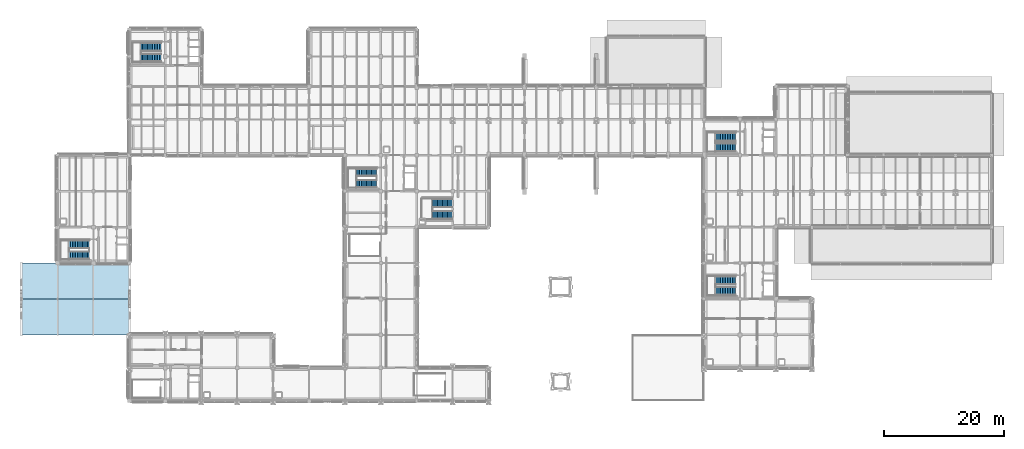
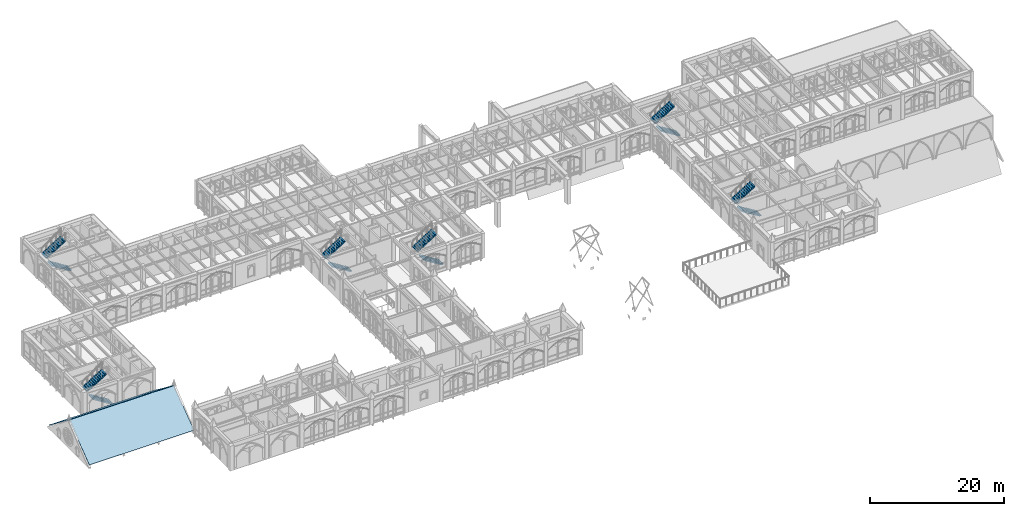
# One storey, part 111 of 143: 12 stair flights, 2 roofs, 6 elements without a shape of their own.
"""IFC4 building model written with IfcOpenShell, lengths in metres."""

from ifc_helpers import new_model, si_unit, direction, frame, origin, place, context, subcontext, project, spatial, polyline, outline, extrude, material, type_object, element, aggregate, save


model = new_model("IFC4")

# Units and contexts
model_context = context("Model", 3, precision=1e-05, world=origin(), true_north=direction((0.0, 1.0)))
body_context = subcontext(model_context, "Body", "Model", "MODEL_VIEW")
ifc_project = project(units=[si_unit("LENGTHUNIT", "METRE"), si_unit("AREAUNIT", "SQUARE_METRE"), si_unit("VOLUMEUNIT", "CUBIC_METRE"), si_unit("PLANEANGLEUNIT", "RADIAN"), si_unit("MASSUNIT", "GRAM", prefix="KILO")], contexts=[model_context])

# Site, building, storey
site_placement = place(None, origin())
site = spatial("IfcSite", under=ifc_project, at=site_placement, CompositionType="ELEMENT")
building_placement = place(site_placement, origin())
building = spatial("IfcBuilding", under=site, at=building_placement, Name="Cumevento Cable Car Station", CompositionType="ELEMENT")
storey_placement = place(building_placement, frame((0.0, 0.0, 9.0)))
storey = spatial("IfcBuildingStorey", under=building, at=storey_placement, Name="L03", CompositionType="ELEMENT", Elevation=9.0)

# Stair, stair flights
ifc_material_1 = material(Name="Concrete C40/50", Category="concrete")
stair_type_1 = type_object("IfcStairType", Name="Half-Turn Stair ST-T03 1320", PredefinedType="HALF_TURN_STAIR", material=ifc_material_1)
stair_1_placement = place(storey_placement, origin())
stair_1 = element("IfcStair", 1, at=stair_1_placement, inside=storey, type_object=stair_type_1, Name="Enclosed Exit Stair ST-01 (L03 to L04)", PredefinedType="HALF_TURN_STAIR")
ifc_material_2 = material(Name="Concrete C40/50", Category="concrete")
stair_flight_type_1 = type_object("IfcStairFlightType", Name="Stair Flight STF-T03 1320", PredefinedType="STRAIGHT", material=ifc_material_2)
stair_flight_1_placement = place(storey_placement, frame((63.280029296875, 40.219970703125, 0.0), z_axis=(0.0, 0.0, 1.0), x_axis=(-1.0, 0.0, 0.0)))
stair_flight_1 = element("IfcStairFlight", 2, at=stair_flight_1_placement, type_object=stair_flight_type_1, Name="ST-01-L03 Flight 1", NumberOfRisers=13, NumberOfTreads=12, PredefinedType="STRAIGHT", RiserHeight=0.173076923, TreadLength=0.28, context=body_context, shape_type="SweptSolid", body=[
    extrude(outline(polyline([(0.0, 0.0), (0.0, 0.173095703125), (0.280029296875, 0.173095703125), (0.280029296875, 0.34619140625), (0.56005859375, 0.34619140625), (0.56005859375, 0.519287109375), (0.840087890625, 0.519287109375), (0.840087890625, 0.6923828125), (1.1201171875, 0.6923828125), (1.1201171875, 0.865478515625), (1.39990234375, 0.865478515625), (1.39990234375, 1.03857421875), (1.679931640625, 1.03857421875), (1.679931640625, 1.21142578125), (1.9599609375, 1.21142578125), (1.9599609375, 1.384521484375), (2.239990234375, 1.384521484375), (2.239990234375, 1.5576171875), (2.52001953125, 1.5576171875), (2.52001953125, 1.730712890625), (2.800048828125, 1.730712890625), (2.800048828125, 1.90380859375), (3.080078125, 1.90380859375), (3.080078125, 2.076904296875), (3.360107421875, 2.076904296875), (3.360107421875, 2.25), (3.360107421875, 1.888916015625), (0.30419921875, 0.0), (0.0, 0.0)])), frame((0.0, 0.66015625, 0.0), z_axis=(0.0, -1.0, 0.0), x_axis=(1.0, 0.0, 0.0)), (0.0, 0.0, 1.0), 1.320068359375),
])
stair_flight_2_placement = place(storey_placement, frame((59.919921875, 42.14990234375, 2.25), z_axis=(0.0, 0.0, 1.0), x_axis=(1.0, 0.0, 0.0)))
stair_flight_2 = element("IfcStairFlight", 3, at=stair_flight_2_placement, type_object=stair_flight_type_1, Name="ST-01-L03 Flight 2", NumberOfRisers=13, NumberOfTreads=12, PredefinedType="STRAIGHT", RiserHeight=0.173076923, TreadLength=0.28, context=body_context, shape_type="SweptSolid", body=[
    extrude(outline(polyline([(0.0, 0.0), (0.0, 0.173095703125), (0.280029296875, 0.173095703125), (0.280029296875, 0.34619140625), (0.56005859375, 0.34619140625), (0.56005859375, 0.519287109375), (0.840087890625, 0.519287109375), (0.840087890625, 0.6923828125), (1.1201171875, 0.6923828125), (1.1201171875, 0.865478515625), (1.39990234375, 0.865478515625), (1.39990234375, 1.03857421875), (1.679931640625, 1.03857421875), (1.679931640625, 1.21142578125), (1.9599609375, 1.21142578125), (1.9599609375, 1.384521484375), (2.239990234375, 1.384521484375), (2.239990234375, 1.5576171875), (2.52001953125, 1.5576171875), (2.52001953125, 1.730712890625), (2.800048828125, 1.730712890625), (2.800048828125, 1.90380859375), (3.080078125, 1.90380859375), (3.080078125, 2.076904296875), (3.360107421875, 2.076904296875), (3.360107421875, 2.25), (3.360107421875, 1.888916015625), (0.30419921875, 0.0), (0.0, 0.0)])), frame((0.0, 0.66015625, 0.0), z_axis=(0.0, -1.0, 0.0), x_axis=(1.0, 0.0, 0.0)), (0.0, 0.0, 1.0), 1.320068359375),
])
aggregate(stair_1, [stair_flight_1, stair_flight_2])

ifc_material_3 = material(Name="Concrete C40/50", Category="concrete")
stair_type_2 = type_object("IfcStairType", Name="Half-Turn Stair ST-T05 1380", PredefinedType="HALF_TURN_STAIR", material=ifc_material_3)
stair_2_placement = place(storey_placement, origin())
stair_2 = element("IfcStair", 4, at=stair_2_placement, inside=storey, type_object=stair_type_2, Name="Enclosed Exit Stair ST-03 (L03 to L04)", PredefinedType="HALF_TURN_STAIR")
ifc_material_4 = material(Name="Concrete C40/50", Category="concrete")
stair_flight_type_2 = type_object("IfcStairFlightType", Name="Stair Flight STF-T05 1380", PredefinedType="STRAIGHT", material=ifc_material_4)
stair_flight_3_placement = place(storey_placement, frame((15.280029296875, 28.25, 0.0), z_axis=(0.0, 0.0, 1.0), x_axis=(-1.0, 0.0, 0.0)))
stair_flight_3 = element("IfcStairFlight", 5, at=stair_flight_3_placement, type_object=stair_flight_type_2, Name="ST-03-L03 Flight 1", NumberOfRisers=13, NumberOfTreads=12, PredefinedType="STRAIGHT", RiserHeight=0.173076923, TreadLength=0.28, context=body_context, shape_type="SweptSolid", body=[
    extrude(outline(polyline([(0.0, 0.0), (0.0, 0.173095703125), (0.280029296875, 0.173095703125), (0.280029296875, 0.34619140625), (0.56005859375, 0.34619140625), (0.56005859375, 0.519287109375), (0.840087890625, 0.519287109375), (0.840087890625, 0.6923828125), (1.1201171875, 0.6923828125), (1.1201171875, 0.865478515625), (1.39990234375, 0.865478515625), (1.39990234375, 1.03857421875), (1.679931640625, 1.03857421875), (1.679931640625, 1.21142578125), (1.9599609375, 1.21142578125), (1.9599609375, 1.384521484375), (2.239990234375, 1.384521484375), (2.239990234375, 1.5576171875), (2.52001953125, 1.5576171875), (2.52001953125, 1.730712890625), (2.800048828125, 1.730712890625), (2.800048828125, 1.90380859375), (3.080078125, 1.90380859375), (3.080078125, 2.076904296875), (3.360107421875, 2.076904296875), (3.360107421875, 2.25), (3.360107421875, 1.888916015625), (0.30419921875, 0.0), (0.0, 0.0)])), frame((0.0, 0.68994140625, 0.0), z_axis=(0.0, -1.0, 0.0), x_axis=(1.0, 0.0, 0.0)), (0.0, 0.0, 1.0), 1.3798828125),
])
stair_flight_4_placement = place(storey_placement, frame((11.919921875, 30.1201171875, 2.25), z_axis=(0.0, 0.0, 1.0), x_axis=(1.0, 0.0, 0.0)))
stair_flight_4 = element("IfcStairFlight", 6, at=stair_flight_4_placement, type_object=stair_flight_type_2, Name="ST-03-L03 Flight 2", NumberOfRisers=13, NumberOfTreads=12, PredefinedType="STRAIGHT", RiserHeight=0.173076923, TreadLength=0.28, context=body_context, shape_type="SweptSolid", body=[
    extrude(outline(polyline([(0.0, 0.0), (0.0, 0.173095703125), (0.280029296875, 0.173095703125), (0.280029296875, 0.34619140625), (0.56005859375, 0.34619140625), (0.56005859375, 0.519287109375), (0.840087890625, 0.519287109375), (0.840087890625, 0.6923828125), (1.1201171875, 0.6923828125), (1.1201171875, 0.865478515625), (1.39990234375, 0.865478515625), (1.39990234375, 1.03857421875), (1.679931640625, 1.03857421875), (1.679931640625, 1.21142578125), (1.9599609375, 1.21142578125), (1.9599609375, 1.384521484375), (2.239990234375, 1.384521484375), (2.239990234375, 1.5576171875), (2.52001953125, 1.5576171875), (2.52001953125, 1.730712890625), (2.800048828125, 1.730712890625), (2.800048828125, 1.90380859375), (3.080078125, 1.90380859375), (3.080078125, 2.076904296875), (3.360107421875, 2.076904296875), (3.360107421875, 2.25), (3.360107421875, 1.888916015625), (0.30419921875, 0.0), (0.0, 0.0)])), frame((0.0, 0.68994140625, 0.0), z_axis=(0.0, -1.0, 0.0), x_axis=(1.0, 0.0, 0.0)), (0.0, 0.0, 1.0), 1.3798828125),
])
aggregate(stair_2, [stair_flight_3, stair_flight_4])

ifc_material_5 = material(Name="Concrete C40/50", Category="concrete")
stair_type_3 = type_object("IfcStairType", Name="Half-Turn Stair ST-T06 1410", PredefinedType="HALF_TURN_STAIR", material=ifc_material_5)
stair_3_placement = place(storey_placement, origin())
stair_3 = element("IfcStair", 7, at=stair_3_placement, inside=storey, type_object=stair_type_3, Name="Enclosed Exit Stair ST-04 (L03 to L04)", PredefinedType="HALF_TURN_STAIR")
ifc_material_6 = material(Name="Concrete C40/50", Category="concrete")
stair_flight_type_3 = type_object("IfcStairFlightType", Name="Stair Flight STF-T06 1410", PredefinedType="STRAIGHT", material=ifc_material_6)
stair_flight_5_placement = place(storey_placement, frame((27.280029296875, 61.264892578125, 0.0), z_axis=(0.0, 0.0, 1.0), x_axis=(-1.0, 0.0, 0.0)))
stair_flight_5 = element("IfcStairFlight", 8, at=stair_flight_5_placement, type_object=stair_flight_type_3, Name="ST-04-L03 Flight 1", NumberOfRisers=13, NumberOfTreads=12, PredefinedType="STRAIGHT", RiserHeight=0.173076923, TreadLength=0.28, context=body_context, shape_type="SweptSolid", body=[
    extrude(outline(polyline([(0.0, 0.0), (0.0, 0.173095703125), (0.280029296875, 0.173095703125), (0.280029296875, 0.34619140625), (0.56005859375, 0.34619140625), (0.56005859375, 0.519287109375), (0.840087890625, 0.519287109375), (0.840087890625, 0.6923828125), (1.1201171875, 0.6923828125), (1.1201171875, 0.865478515625), (1.39990234375, 0.865478515625), (1.39990234375, 1.03857421875), (1.679931640625, 1.03857421875), (1.679931640625, 1.21142578125), (1.9599609375, 1.21142578125), (1.9599609375, 1.384521484375), (2.239990234375, 1.384521484375), (2.239990234375, 1.5576171875), (2.52001953125, 1.5576171875), (2.52001953125, 1.730712890625), (2.800048828125, 1.730712890625), (2.800048828125, 1.90380859375), (3.080078125, 1.90380859375), (3.080078125, 2.076904296875), (3.360107421875, 2.076904296875), (3.360107421875, 2.25), (3.360107421875, 1.888916015625), (0.30419921875, 0.0), (0.0, 0.0)])), frame((0.0, 0.705078125, 0.0), z_axis=(0.0, -1.0, 0.0), x_axis=(1.0, 0.0, 0.0)), (0.0, 0.0, 1.0), 1.409912109375),
])
stair_flight_6_placement = place(storey_placement, frame((23.919921875, 63.10498046875, 2.25), z_axis=(0.0, 0.0, 1.0), x_axis=(1.0, 0.0, 0.0)))
stair_flight_6 = element("IfcStairFlight", 9, at=stair_flight_6_placement, type_object=stair_flight_type_3, Name="ST-04-L03 Flight 2", NumberOfRisers=13, NumberOfTreads=12, PredefinedType="STRAIGHT", RiserHeight=0.173076923, TreadLength=0.28, context=body_context, shape_type="SweptSolid", body=[
    extrude(outline(polyline([(0.0, 0.0), (0.0, 0.173095703125), (0.280029296875, 0.173095703125), (0.280029296875, 0.34619140625), (0.56005859375, 0.34619140625), (0.56005859375, 0.519287109375), (0.840087890625, 0.519287109375), (0.840087890625, 0.6923828125), (1.1201171875, 0.6923828125), (1.1201171875, 0.865478515625), (1.39990234375, 0.865478515625), (1.39990234375, 1.03857421875), (1.679931640625, 1.03857421875), (1.679931640625, 1.21142578125), (1.9599609375, 1.21142578125), (1.9599609375, 1.384521484375), (2.239990234375, 1.384521484375), (2.239990234375, 1.5576171875), (2.52001953125, 1.5576171875), (2.52001953125, 1.730712890625), (2.800048828125, 1.730712890625), (2.800048828125, 1.90380859375), (3.080078125, 1.90380859375), (3.080078125, 2.076904296875), (3.360107421875, 2.076904296875), (3.360107421875, 2.25), (3.360107421875, 1.888916015625), (0.30419921875, 0.0), (0.0, 0.0)])), frame((0.0, 0.705078125, 0.0), z_axis=(0.0, -1.0, 0.0), x_axis=(1.0, 0.0, 0.0)), (0.0, 0.0, 1.0), 1.409912109375),
])
aggregate(stair_3, [stair_flight_5, stair_flight_6])

ifc_material_7 = material(Name="Concrete C40/50", Category="concrete")
stair_type_4 = type_object("IfcStairType", Name="Half-Turn Stair ST-T07 1440", PredefinedType="HALF_TURN_STAIR", material=ifc_material_7)
stair_4_placement = place(storey_placement, origin())
stair_4 = element("IfcStair", 10, at=stair_4_placement, inside=storey, type_object=stair_type_4, Name="Enclosed Exit Stair ST-05 (L03 to L04)", PredefinedType="HALF_TURN_STAIR")
ifc_material_8 = material(Name="Concrete C40/50", Category="concrete")
stair_flight_type_4 = type_object("IfcStairFlightType", Name="Stair Flight STF-T07 1440", PredefinedType="STRAIGHT", material=ifc_material_8)
stair_flight_7_placement = place(storey_placement, frame((123.280029296875, 22.280029296875, 0.0), z_axis=(0.0, 0.0, 1.0), x_axis=(-1.0, 0.0, 0.0)))
stair_flight_7 = element("IfcStairFlight", 11, at=stair_flight_7_placement, type_object=stair_flight_type_4, Name="ST-05-L03 Flight 1", NumberOfRisers=13, NumberOfTreads=12, PredefinedType="STRAIGHT", RiserHeight=0.173076923, TreadLength=0.28, context=body_context, shape_type="SweptSolid", body=[
    extrude(outline(polyline([(0.0, 0.0), (0.0, 0.173095703125), (0.280029296875, 0.173095703125), (0.280029296875, 0.34619140625), (0.56005859375, 0.34619140625), (0.56005859375, 0.519287109375), (0.840087890625, 0.519287109375), (0.840087890625, 0.6923828125), (1.1201171875, 0.6923828125), (1.1201171875, 0.865478515625), (1.39990234375, 0.865478515625), (1.39990234375, 1.03857421875), (1.679931640625, 1.03857421875), (1.679931640625, 1.21142578125), (1.9599609375, 1.21142578125), (1.9599609375, 1.384521484375), (2.239990234375, 1.384521484375), (2.239990234375, 1.5576171875), (2.52001953125, 1.5576171875), (2.52001953125, 1.730712890625), (2.800048828125, 1.730712890625), (2.800048828125, 1.90380859375), (3.080078125, 1.90380859375), (3.080078125, 2.076904296875), (3.360107421875, 2.076904296875), (3.360107421875, 2.25), (3.360107421875, 1.888916015625), (0.30419921875, 0.0), (0.0, 0.0)])), frame((0.0, 0.719970703125, 0.0), z_axis=(0.0, -1.0, 0.0), x_axis=(1.0, 0.0, 0.0)), (0.0, 0.0, 1.0), 1.43994140625),
])
stair_flight_8_placement = place(storey_placement, frame((119.919921875, 24.090087890625, 2.25), z_axis=(0.0, 0.0, 1.0), x_axis=(1.0, 0.0, 0.0)))
stair_flight_8 = element("IfcStairFlight", 12, at=stair_flight_8_placement, type_object=stair_flight_type_4, Name="ST-05-L03 Flight 2", NumberOfRisers=13, NumberOfTreads=12, PredefinedType="STRAIGHT", RiserHeight=0.173076923, TreadLength=0.28, context=body_context, shape_type="SweptSolid", body=[
    extrude(outline(polyline([(0.0, 0.0), (0.0, 0.173095703125), (0.280029296875, 0.173095703125), (0.280029296875, 0.34619140625), (0.56005859375, 0.34619140625), (0.56005859375, 0.519287109375), (0.840087890625, 0.519287109375), (0.840087890625, 0.6923828125), (1.1201171875, 0.6923828125), (1.1201171875, 0.865478515625), (1.39990234375, 0.865478515625), (1.39990234375, 1.03857421875), (1.679931640625, 1.03857421875), (1.679931640625, 1.21142578125), (1.9599609375, 1.21142578125), (1.9599609375, 1.384521484375), (2.239990234375, 1.384521484375), (2.239990234375, 1.5576171875), (2.52001953125, 1.5576171875), (2.52001953125, 1.730712890625), (2.800048828125, 1.730712890625), (2.800048828125, 1.90380859375), (3.080078125, 1.90380859375), (3.080078125, 2.076904296875), (3.360107421875, 2.076904296875), (3.360107421875, 2.25), (3.360107421875, 1.888916015625), (0.30419921875, 0.0), (0.0, 0.0)])), frame((0.0, 0.719970703125, 0.0), z_axis=(0.0, -1.0, 0.0), x_axis=(1.0, 0.0, 0.0)), (0.0, 0.0, 1.0), 1.43994140625),
])
aggregate(stair_4, [stair_flight_7, stair_flight_8])

ifc_material_9 = material(Name="Concrete C40/50", Category="concrete")
stair_type_5 = type_object("IfcStairType", Name="Half-Turn Stair ST-T08 1470", PredefinedType="HALF_TURN_STAIR", material=ifc_material_9)
stair_5_placement = place(storey_placement, origin())
stair_5 = element("IfcStair", 13, at=stair_5_placement, inside=storey, type_object=stair_type_5, Name="Enclosed Exit Stair ST-06 (L03 to L04)", PredefinedType="HALF_TURN_STAIR")
ifc_material_10 = material(Name="Concrete C40/50", Category="concrete")
stair_flight_type_5 = type_object("IfcStairFlightType", Name="Stair Flight STF-T08 1470", PredefinedType="STRAIGHT", material=ifc_material_10)
stair_flight_9_placement = place(storey_placement, frame((123.280029296875, 46.294921875, 0.0), z_axis=(0.0, 0.0, 1.0), x_axis=(-1.0, 0.0, 0.0)))
stair_flight_9 = element("IfcStairFlight", 14, at=stair_flight_9_placement, type_object=stair_flight_type_5, Name="ST-06-L03 Flight 1", NumberOfRisers=13, NumberOfTreads=12, PredefinedType="STRAIGHT", RiserHeight=0.173076923, TreadLength=0.28, context=body_context, shape_type="SweptSolid", body=[
    extrude(outline(polyline([(0.0, 0.0), (0.0, 0.173095703125), (0.280029296875, 0.173095703125), (0.280029296875, 0.34619140625), (0.56005859375, 0.34619140625), (0.56005859375, 0.519287109375), (0.840087890625, 0.519287109375), (0.840087890625, 0.6923828125), (1.1201171875, 0.6923828125), (1.1201171875, 0.865478515625), (1.39990234375, 0.865478515625), (1.39990234375, 1.03857421875), (1.679931640625, 1.03857421875), (1.679931640625, 1.21142578125), (1.9599609375, 1.21142578125), (1.9599609375, 1.384521484375), (2.239990234375, 1.384521484375), (2.239990234375, 1.5576171875), (2.52001953125, 1.5576171875), (2.52001953125, 1.730712890625), (2.800048828125, 1.730712890625), (2.800048828125, 1.90380859375), (3.080078125, 1.90380859375), (3.080078125, 2.076904296875), (3.360107421875, 2.076904296875), (3.360107421875, 2.25), (3.360107421875, 1.888916015625), (0.30419921875, 0.0), (0.0, 0.0)])), frame((0.0, 0.73486328125, 0.0), z_axis=(0.0, -1.0, 0.0), x_axis=(1.0, 0.0, 0.0)), (0.0, 0.0, 1.0), 1.469970703125),
])
stair_flight_10_placement = place(storey_placement, frame((119.919921875, 48.074951171875, 2.25), z_axis=(0.0, 0.0, 1.0), x_axis=(1.0, 0.0, 0.0)))
stair_flight_10 = element("IfcStairFlight", 15, at=stair_flight_10_placement, type_object=stair_flight_type_5, Name="ST-06-L03 Flight 2", NumberOfRisers=13, NumberOfTreads=12, PredefinedType="STRAIGHT", RiserHeight=0.173076923, TreadLength=0.28, context=body_context, shape_type="SweptSolid", body=[
    extrude(outline(polyline([(0.0, 0.0), (0.0, 0.173095703125), (0.280029296875, 0.173095703125), (0.280029296875, 0.34619140625), (0.56005859375, 0.34619140625), (0.56005859375, 0.519287109375), (0.840087890625, 0.519287109375), (0.840087890625, 0.6923828125), (1.1201171875, 0.6923828125), (1.1201171875, 0.865478515625), (1.39990234375, 0.865478515625), (1.39990234375, 1.03857421875), (1.679931640625, 1.03857421875), (1.679931640625, 1.21142578125), (1.9599609375, 1.21142578125), (1.9599609375, 1.384521484375), (2.239990234375, 1.384521484375), (2.239990234375, 1.5576171875), (2.52001953125, 1.5576171875), (2.52001953125, 1.730712890625), (2.800048828125, 1.730712890625), (2.800048828125, 1.90380859375), (3.080078125, 1.90380859375), (3.080078125, 2.076904296875), (3.360107421875, 2.076904296875), (3.360107421875, 2.25), (3.360107421875, 1.888916015625), (0.30419921875, 0.0), (0.0, 0.0)])), frame((0.0, 0.73486328125, 0.0), z_axis=(0.0, -1.0, 0.0), x_axis=(1.0, 0.0, 0.0)), (0.0, 0.0, 1.0), 1.469970703125),
])
aggregate(stair_5, [stair_flight_9, stair_flight_10])

stair_6_placement = place(storey_placement, origin())
stair_6 = element("IfcStair", 16, at=stair_6_placement, inside=storey, type_object=stair_type_5, Name="Pre-Boarding to Boarding Hall Stair L03-L04", PredefinedType="HALF_TURN_STAIR")
stair_flight_11_placement = place(storey_placement, frame((75.97998046875, 34.97509765625, 0.0), z_axis=(0.0, 0.0, 1.0), x_axis=(-1.0, 0.0, 0.0)))
stair_flight_11 = element("IfcStairFlight", 17, at=stair_flight_11_placement, type_object=stair_flight_type_5, Name="ST-11 Flight 1", NumberOfRisers=13, NumberOfTreads=12, PredefinedType="STRAIGHT", RiserHeight=0.173076923, TreadLength=0.28, context=body_context, shape_type="SweptSolid", body=[
    extrude(outline(polyline([(0.0, 0.0), (0.0, 0.173095703125), (0.280029296875, 0.173095703125), (0.280029296875, 0.34619140625), (0.56005859375, 0.34619140625), (0.56005859375, 0.519287109375), (0.840087890625, 0.519287109375), (0.840087890625, 0.6923828125), (1.1201171875, 0.6923828125), (1.1201171875, 0.865478515625), (1.39990234375, 0.865478515625), (1.39990234375, 1.03857421875), (1.679931640625, 1.03857421875), (1.679931640625, 1.21142578125), (1.9599609375, 1.21142578125), (1.9599609375, 1.384521484375), (2.239990234375, 1.384521484375), (2.239990234375, 1.5576171875), (2.52001953125, 1.5576171875), (2.52001953125, 1.730712890625), (2.800048828125, 1.730712890625), (2.800048828125, 1.90380859375), (3.080078125, 1.90380859375), (3.080078125, 2.076904296875), (3.360107421875, 2.076904296875), (3.360107421875, 2.25), (3.360107421875, 1.888916015625), (0.30419921875, 0.0), (0.0, 0.0)])), frame((0.0, 0.73486328125, 0.0), z_axis=(0.0, -1.0, 0.0), x_axis=(1.0, 0.0, 0.0)), (0.0, 0.0, 1.0), 1.469970703125),
])
stair_flight_12_placement = place(storey_placement, frame((72.6201171875, 37.02490234375, 2.25), z_axis=(0.0, 0.0, 1.0), x_axis=(1.0, 0.0, 0.0)))
stair_flight_12 = element("IfcStairFlight", 18, at=stair_flight_12_placement, type_object=stair_flight_type_5, Name="ST-11 Flight 2", NumberOfRisers=13, NumberOfTreads=12, PredefinedType="STRAIGHT", RiserHeight=0.173076923, TreadLength=0.28, context=body_context, shape_type="SweptSolid", body=[
    extrude(outline(polyline([(0.0, 0.0), (0.0, 0.173095703125), (0.280029296875, 0.173095703125), (0.280029296875, 0.34619140625), (0.56005859375, 0.34619140625), (0.56005859375, 0.519287109375), (0.840087890625, 0.519287109375), (0.840087890625, 0.6923828125), (1.1201171875, 0.6923828125), (1.1201171875, 0.865478515625), (1.39990234375, 0.865478515625), (1.39990234375, 1.03857421875), (1.679931640625, 1.03857421875), (1.679931640625, 1.21142578125), (1.9599609375, 1.21142578125), (1.9599609375, 1.384521484375), (2.239990234375, 1.384521484375), (2.239990234375, 1.5576171875), (2.52001953125, 1.5576171875), (2.52001953125, 1.730712890625), (2.800048828125, 1.730712890625), (2.800048828125, 1.90380859375), (3.080078125, 1.90380859375), (3.080078125, 2.076904296875), (3.360107421875, 2.076904296875), (3.360107421875, 2.25), (3.360107421875, 1.888916015625), (0.30419921875, 0.0), (0.0, 0.0)])), frame((0.0, 0.73486328125, 0.0), z_axis=(0.0, -1.0, 0.0), x_axis=(1.0, 0.0, 0.0)), (0.0, 0.0, 1.0), 1.469970703125),
])
aggregate(stair_6, [stair_flight_11, stair_flight_12])

# Roofs
ifc_material_11 = material(Name="Standing-Seam Zinc-Titanium Roof Sheet", Category="steel")
roof_type = type_object("IfcRoofType", Name="Gable Roof Ridge Cap RFA-G1", PredefinedType="GABLE_ROOF", material=ifc_material_11)
for number, where, z_axis, x_axis, name in (
    (19, (4.0, 15.0, 0.462890625), (0.0, -0.604245259607, 0.796798384939), (1.0, 0.0, 0.0), "Gable Sloped Roof Assembly #33"),
    (20, (4.0, 21.0, 5.012939453125), (0.0, 0.604245259607, 0.796798384939), (1.0, 0.0, 0.0), "Gable Sloped Roof Assembly #34"),
):
    element("IfcRoof", number, at=place(storey_placement, frame(where, z_axis=z_axis, x_axis=x_axis)), inside=storey, type_object=roof_type, Name=name, PredefinedType="GABLE_ROOF", context=body_context, shape_type="SweptSolid", body=[
        extrude(outline(polyline([(0.0, 0.0), (18.0, 0.0), (18.0, 7.530135745012947), (0.0, 7.530135745012947), (0.0, 0.0)])), origin(), (0.0, 0.0, -1.0), 0.0400390625),
    ])

save(model, "model.ifc")
